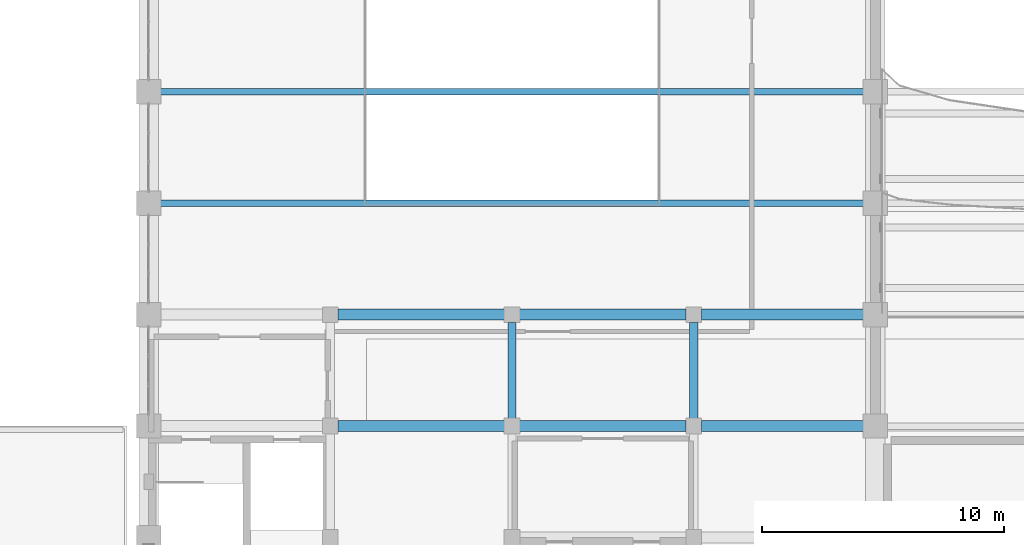
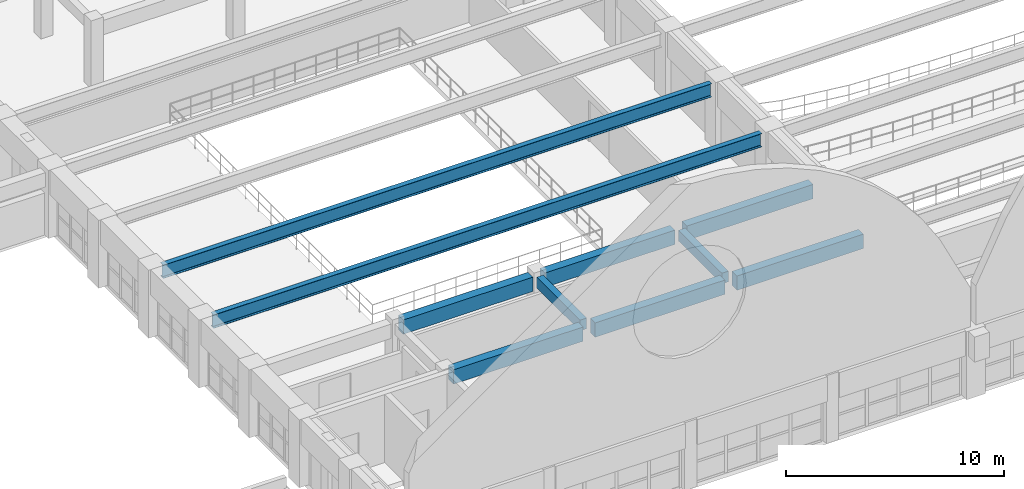
# One storey, part 9 of 74: 10 beams.
"""IFC4 building model written with IfcOpenShell, lengths in metres."""

from ifc_helpers import new_model, si_unit, direction, frame, origin, origin_2d, place, context, subcontext, project, spatial, rectangle, i_section, extrude, material, material_profile, profile_set, type_object, element, save


model = new_model("IFC4")

# Units and contexts
model_context = context("Model", 3, precision=1e-05, world=origin(), true_north=direction((0.0, 1.0)))
body_context = subcontext(model_context, "Body", "Model", "MODEL_VIEW")
ifc_project = project(units=[si_unit("LENGTHUNIT", "METRE"), si_unit("AREAUNIT", "SQUARE_METRE"), si_unit("VOLUMEUNIT", "CUBIC_METRE"), si_unit("PLANEANGLEUNIT", "RADIAN"), si_unit("MASSUNIT", "GRAM", prefix="KILO")], contexts=[model_context])

# Site, building, storey
site_placement = place(None, origin())
site = spatial("IfcSite", under=ifc_project, at=site_placement, CompositionType="ELEMENT")
building_placement = place(site_placement, origin())
building = spatial("IfcBuilding", under=site, at=building_placement, Name="Muzn Square Opera House", CompositionType="ELEMENT")
storey_placement = place(building_placement, frame((0.0, 0.0, 14.199951171875)))
storey = spatial("IfcBuildingStorey", under=building, at=storey_placement, Name="L03", CompositionType="ELEMENT", Elevation=14.199951171875)

# Beams
ifc_material_1 = material(Name="Steel S355", Category="steel")
ifc_material_profile_1 = material_profile(ifc_material_1, i_section(OverallWidth=0.264892578125, OverallDepth=0.7529296875, WebThickness=0.01318359375, FlangeThickness=0.01708984375, FilletRadius=0.01708984375, at=origin_2d()), Name="IPE 750x147", Category="steel")
ifc_profile_set_1 = profile_set([ifc_material_profile_1], Name="Steel S355")
beam_type_1 = type_object("IfcBeamType", Name="Long Span Foyer Beam IPE750", PredefinedType="BEAM", material=ifc_profile_set_1)
for number, where, z_axis, x_axis, name in (
    (1, (43.491943359375, 40.39990234375, 3.1435546875), (1.0, 0.0, 0.0), (0.0, 1.0, 0.0), "Primary Girder BM-L03-BM-LF750-435_404_725_404-2442"),
    (2, (43.491943359375, 45.0, 3.1435546875), (1.0, 0.0, 0.0), (0.0, 1.0, 0.0), "Primary Girder BM-L03-BM-LF750-435_450_725_450-2445"),
):
    element("IfcBeam", number, at=place(storey_placement, frame(where, z_axis=z_axis, x_axis=x_axis)), inside=storey, type_object=beam_type_1, Name=name, PredefinedType="BEAM", context=body_context, shape_type="SweptSolid", body=[
        extrude(i_section(OverallWidth=0.264892578125, OverallDepth=0.7529296875, WebThickness=0.01318359375, FlangeThickness=0.01708984375, FilletRadius=0.01708984375, at=origin_2d()), origin(), (0.0, 0.0, 1.0), 29.01611328125),
    ])
ifc_material_2 = material(Name="Concrete C40/50", Category="concrete")
ifc_material_profile_2 = material_profile(ifc_material_2, rectangle(XDim=0.35009765625, YDim=0.60009765625, at=origin_2d()), Name="RCB 350x600", Category="concrete")
ifc_profile_set_2 = profile_set([ifc_material_profile_2], Name="Concrete C40/50")
beam_type_2 = type_object("IfcBeamType", Name="Primary Girder 350x600", PredefinedType="BEAM", material=ifc_profile_set_2)
for number, where, z_axis, x_axis, name in (
    (3, (58.0, 31.51708984375, 3.219970703125), (0.0, 1.0, 0.0), (-1.0, 0.0, 0.0), "Primary Girder BM-L03-BM-PG600-580_315_580_355-2562"),
    (4, (65.5, 31.51708984375, 3.219970703125), (0.0, 1.0, 0.0), (-1.0, 0.0, 0.0), "Primary Girder BM-L03-BM-PG600-655_315_655_355-2567"),
):
    element("IfcBeam", number, at=place(storey_placement, frame(where, z_axis=z_axis, x_axis=x_axis)), inside=storey, type_object=beam_type_2, Name=name, PredefinedType="BEAM", context=body_context, shape_type="SweptSolid", body=[
        extrude(rectangle(XDim=0.35009765625, YDim=0.60009765625, at=origin_2d()), origin(), (0.0, 0.0, 1.0), 3.9658203125),
    ])
ifc_material_profile_3 = material_profile(ifc_material_2, rectangle(XDim=0.449951171875, YDim=0.800048828125, at=origin_2d()), Name="RCB 450x800", Category="concrete")
ifc_profile_set_3 = profile_set([ifc_material_profile_3], Name="Concrete C40/50")
beam_type_3 = type_object("IfcBeamType", Name="Primary Girder 450x800", PredefinedType="BEAM", material=ifc_profile_set_3)
for number, where, z_axis, x_axis, name in (
    (5, (50.81689453125, 31.199951171875, 3.1201171875), (1.0, 0.0, 0.0), (0.0, 1.0, 0.0), "Primary Girder BM-L03-BM-PG800-508_312_577_312-2425"),
    (6, (58.31689453125, 31.199951171875, 3.1201171875), (1.0, 0.0, 0.0), (0.0, 1.0, 0.0), "Primary Girder BM-L03-BM-PG800-583_312_652_312-2426"),
):
    element("IfcBeam", number, at=place(storey_placement, frame(where, z_axis=z_axis, x_axis=x_axis)), inside=storey, type_object=beam_type_3, Name=name, PredefinedType="BEAM", context=body_context, shape_type="SweptSolid", body=[
        extrude(rectangle(XDim=0.449951171875, YDim=0.800048828125, at=origin_2d()), origin(), (0.0, 0.0, 1.0), 6.8662109375),
    ])
beam_1_placement = place(storey_placement, frame((65.81689453125, 31.199951171875, 3.1201171875), z_axis=(1.0, 0.0, 0.0), x_axis=(0.0, 1.0, 0.0)))
element("IfcBeam", 7, at=beam_1_placement, inside=storey, type_object=beam_type_3, Name="Primary Girder BM-L03-BM-PG800-658_312_725_312-2427", PredefinedType="BEAM", context=body_context, shape_type="SweptSolid", body=[
    extrude(rectangle(XDim=0.449951171875, YDim=0.800048828125, at=origin_2d()), origin(), (0.0, 0.0, 1.0), 6.691162109375),
])
for number, where, z_axis, x_axis, name in (
    (8, (50.81689453125, 35.800048828125, 3.1201171875), (1.0, 0.0, 0.0), (0.0, 1.0, 0.0), "Primary Girder BM-L03-BM-PG800-508_358_577_358-2434"),
    (9, (58.31689453125, 35.800048828125, 3.1201171875), (1.0, 0.0, 0.0), (0.0, 1.0, 0.0), "Primary Girder BM-L03-BM-PG800-583_358_652_358-2435"),
):
    element("IfcBeam", number, at=place(storey_placement, frame(where, z_axis=z_axis, x_axis=x_axis)), inside=storey, type_object=beam_type_3, Name=name, PredefinedType="BEAM", context=body_context, shape_type="SweptSolid", body=[
        extrude(rectangle(XDim=0.449951171875, YDim=0.800048828125, at=origin_2d()), origin(), (0.0, 0.0, 1.0), 6.8662109375),
    ])
beam_2_placement = place(storey_placement, frame((65.81689453125, 35.800048828125, 3.1201171875), z_axis=(1.0, 0.0, 0.0), x_axis=(0.0, 1.0, 0.0)))
element("IfcBeam", 10, at=beam_2_placement, inside=storey, type_object=beam_type_3, Name="Primary Girder BM-L03-BM-PG800-658_358_725_358-2436", PredefinedType="BEAM", context=body_context, shape_type="SweptSolid", body=[
    extrude(rectangle(XDim=0.449951171875, YDim=0.800048828125, at=origin_2d()), origin(), (0.0, 0.0, 1.0), 6.691162109375),
])

save(model, "model.ifc")
